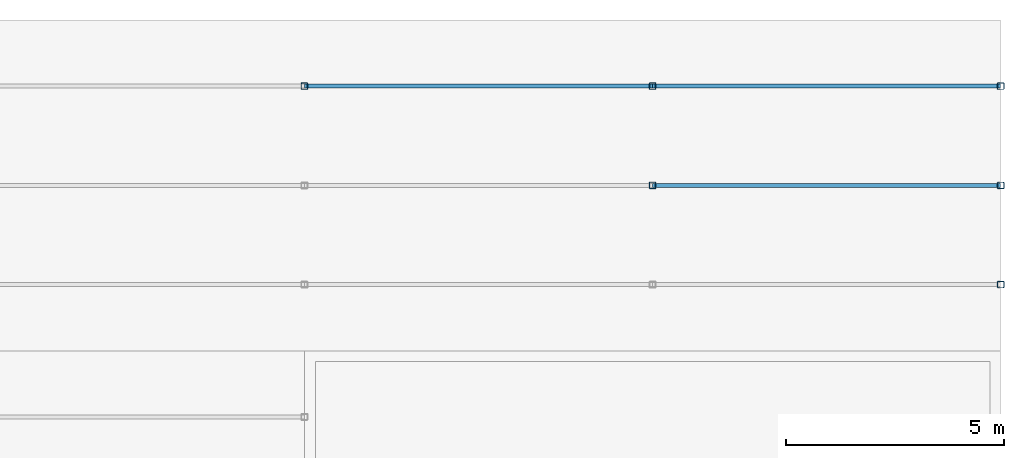
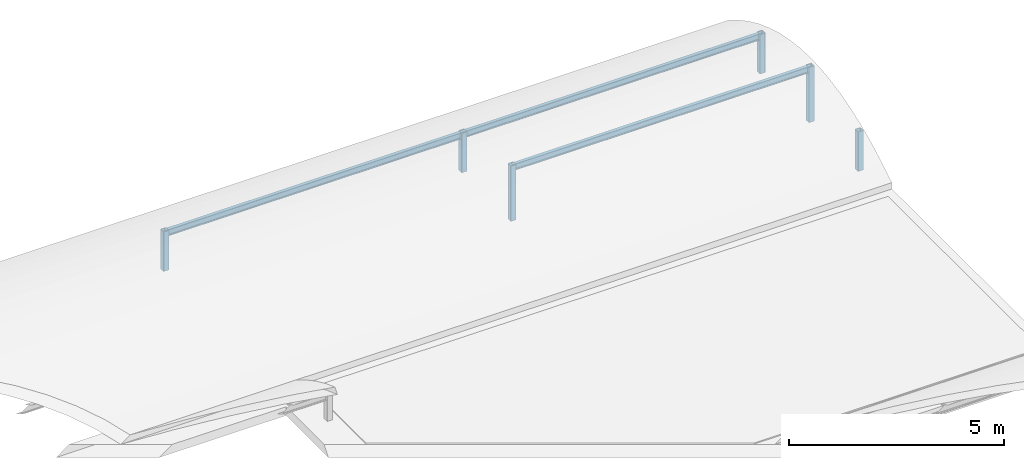
# One storey, part 6 of 8: 9 members.
"""IFC4 building model written with IfcOpenShell, lengths in metres."""

from ifc_helpers import new_model, si_unit, direction, frame, origin, origin_2d, place, context, subcontext, project, spatial, hollow_rectangle, i_section, extrude, material, material_profile, profile_set, type_object, element, save


model = new_model("IFC4")

# Units and contexts
model_context = context("Model", 3, precision=1e-05, world=origin(), true_north=direction((0.0, 1.0)))
body_context = subcontext(model_context, "Body", "Model", "MODEL_VIEW")
ifc_project = project(units=[si_unit("LENGTHUNIT", "METRE"), si_unit("AREAUNIT", "SQUARE_METRE"), si_unit("VOLUMEUNIT", "CUBIC_METRE"), si_unit("PLANEANGLEUNIT", "RADIAN"), si_unit("MASSUNIT", "GRAM", prefix="KILO")], contexts=[model_context])

# Site, building, storey
site_placement = place(None, origin())
site = spatial("IfcSite", under=ifc_project, at=site_placement, CompositionType="ELEMENT")
building_placement = place(site_placement, origin())
building = spatial("IfcBuilding", under=site, at=building_placement, Name="Shalkamar Park Central Library", CompositionType="ELEMENT")
storey_placement = place(building_placement, frame((0.0, 0.0, 77.699951171875)))
storey = spatial("IfcBuildingStorey", under=building, at=storey_placement, Name="ROOF", CompositionType="ELEMENT", Elevation=77.699951171875)

# Members
ifc_material = material(Name="Steel S355", Category="steel")
ifc_material_profile_1 = material_profile(ifc_material, hollow_rectangle(XDim=0.14990234375, YDim=0.14990234375, WallThickness=0.008056640625, InnerFilletRadius=0.008056640625, OuterFilletRadius=0.011962890625, at=origin_2d()), Name="SHS 150x150x8")
ifc_profile_set_1 = profile_set([ifc_material_profile_1], Name="Steel S355")
member_type_1 = type_object("IfcMemberType", Name="Diagonal Brace SHS150", PredefinedType="BRACE", material=ifc_profile_set_1)
member_1_placement = place(storey_placement, frame((197.0, 276.47998046875, -0.35986328125), z_axis=(0.0, 0.0, 1.0), x_axis=(1.0, 0.0, 0.0)))
element("IfcMember", 1, at=member_1_placement, inside=storey, type_object=member_type_1, Name="Vault Arch Post BV-L18-3-11.3", PredefinedType="BRACE", context=body_context, shape_type="SweptSolid", body=[
    extrude(hollow_rectangle(XDim=0.14990234375, YDim=0.14990234375, WallThickness=0.008056640625, InnerFilletRadius=0.008056640625, OuterFilletRadius=0.011962890625, at=origin_2d()), origin(), (0.0, 0.0, 1.0), 1.119873046875),
])
member_2_placement = place(storey_placement, frame((205.0, 274.199951171875, -0.35986328125), z_axis=(0.0, 0.0, 1.0), x_axis=(1.0, 0.0, 0.0)))
element("IfcMember", 2, at=member_2_placement, inside=storey, type_object=member_type_1, Name="Vault Arch Post BV-L18-3-12.2", PredefinedType="BRACE", context=body_context, shape_type="SweptSolid", body=[
    extrude(hollow_rectangle(XDim=0.14990234375, YDim=0.14990234375, WallThickness=0.008056640625, InnerFilletRadius=0.008056640625, OuterFilletRadius=0.011962890625, at=origin_2d()), origin(), (0.0, 0.0, 1.0), 1.56982421875),
])
for number, where, z_axis, x_axis, name in (
    (3, (205.0, 276.47998046875, -0.35986328125), (0.0, 0.0, 1.0), (1.0, 0.0, 0.0), "Vault Arch Post BV-L18-3-12.3"),
    (4, (213.0, 271.919921875, -0.35986328125), (0.0, 0.0, 1.0), (1.0, 0.0, 0.0), "Vault Arch Post BV-L18-3-13.1"),
):
    element("IfcMember", number, at=place(storey_placement, frame(where, z_axis=z_axis, x_axis=x_axis)), inside=storey, type_object=member_type_1, Name=name, PredefinedType="BRACE", context=body_context, shape_type="SweptSolid", body=[
        extrude(hollow_rectangle(XDim=0.14990234375, YDim=0.14990234375, WallThickness=0.008056640625, InnerFilletRadius=0.008056640625, OuterFilletRadius=0.011962890625, at=origin_2d()), origin(), (0.0, 0.0, 1.0), 1.119873046875),
    ])
member_3_placement = place(storey_placement, frame((213.0, 274.199951171875, -0.35986328125), z_axis=(0.0, 0.0, 1.0), x_axis=(1.0, 0.0, 0.0)))
element("IfcMember", 5, at=member_3_placement, inside=storey, type_object=member_type_1, Name="Vault Arch Post BV-L18-3-13.2", PredefinedType="BRACE", context=body_context, shape_type="SweptSolid", body=[
    extrude(hollow_rectangle(XDim=0.14990234375, YDim=0.14990234375, WallThickness=0.008056640625, InnerFilletRadius=0.008056640625, OuterFilletRadius=0.011962890625, at=origin_2d()), origin(), (0.0, 0.0, 1.0), 1.56982421875),
])
member_4_placement = place(storey_placement, frame((213.0, 276.47998046875, -0.35986328125), z_axis=(0.0, 0.0, 1.0), x_axis=(1.0, 0.0, 0.0)))
element("IfcMember", 6, at=member_4_placement, inside=storey, type_object=member_type_1, Name="Vault Arch Post BV-L18-3-13.3", PredefinedType="BRACE", context=body_context, shape_type="SweptSolid", body=[
    extrude(hollow_rectangle(XDim=0.14990234375, YDim=0.14990234375, WallThickness=0.008056640625, InnerFilletRadius=0.008056640625, OuterFilletRadius=0.011962890625, at=origin_2d()), origin(), (0.0, 0.0, 1.0), 1.119873046875),
])
ifc_material_profile_2 = material_profile(ifc_material, i_section(OverallWidth=0.091064453125, OverallDepth=0.179931640625, WebThickness=0.00537109375, FlangeThickness=0.008056640625, FilletRadius=0.009033203125, at=origin_2d()), Name="IPE 180")
ifc_profile_set_2 = profile_set([ifc_material_profile_2], Name="Steel S355")
member_type_2 = type_object("IfcMemberType", Name="Roof Purlin IPE180", PredefinedType="PURLIN", material=ifc_profile_set_2)
for number, where, z_axis, x_axis, name in (
    (7, (205.0, 274.199951171875, 1.1201171875), (1.0, 0.0, 0.0), (0.0, 1.0, 0.0), "Barrel Roof Purlin BV-L18-3-2.12"),
    (8, (197.0, 276.47998046875, 0.670166015625), (1.0, 0.0, 0.0), (0.0, 1.0, 0.0), "Barrel Roof Purlin BV-L18-3-3.11"),
    (9, (205.0, 276.47998046875, 0.670166015625), (1.0, 0.0, 0.0), (0.0, 1.0, 0.0), "Barrel Roof Purlin BV-L18-3-3.12"),
):
    element("IfcMember", number, at=place(storey_placement, frame(where, z_axis=z_axis, x_axis=x_axis)), inside=storey, type_object=member_type_2, Name=name, PredefinedType="PURLIN", context=body_context, shape_type="SweptSolid", body=[
        extrude(i_section(OverallWidth=0.091064453125, OverallDepth=0.179931640625, WebThickness=0.00537109375, FlangeThickness=0.008056640625, FilletRadius=0.009033203125, at=origin_2d()), origin(), (0.0, 0.0, 1.0), 8.0),
    ])

save(model, "model.ifc")
